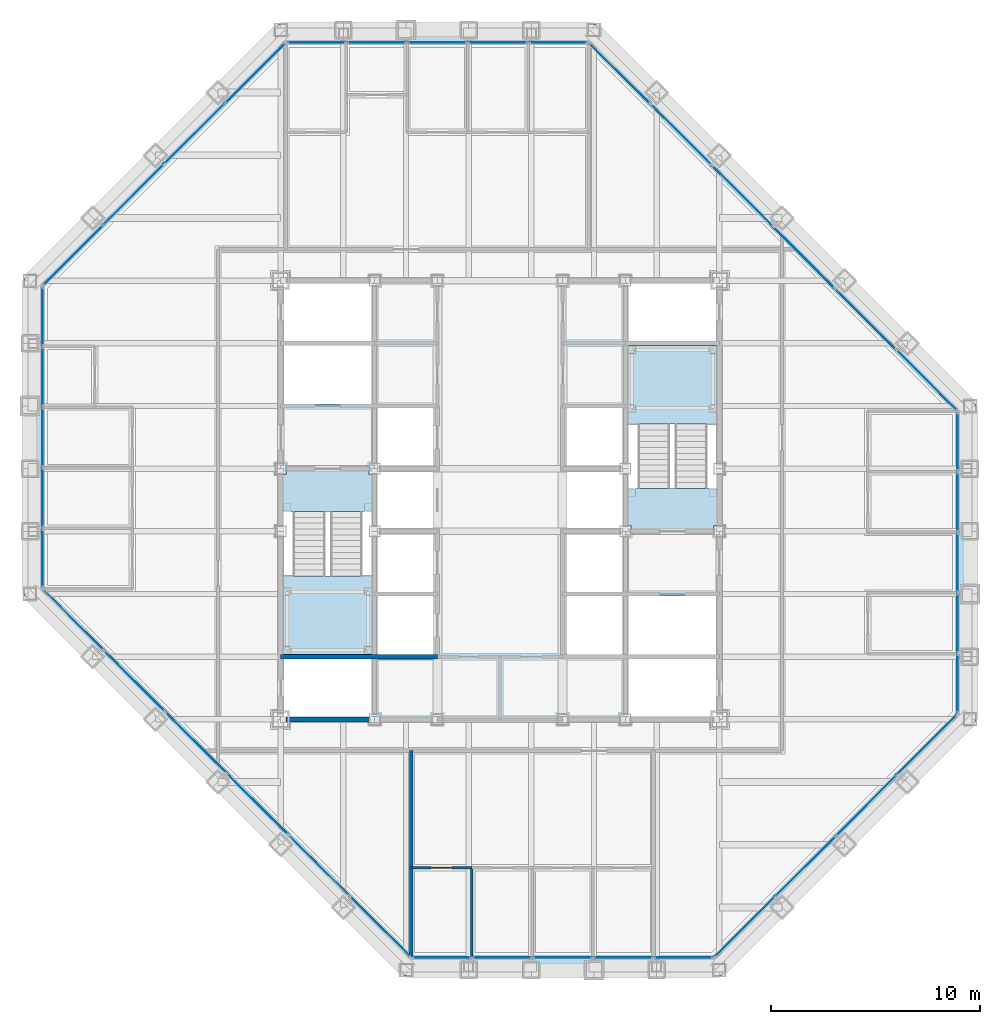
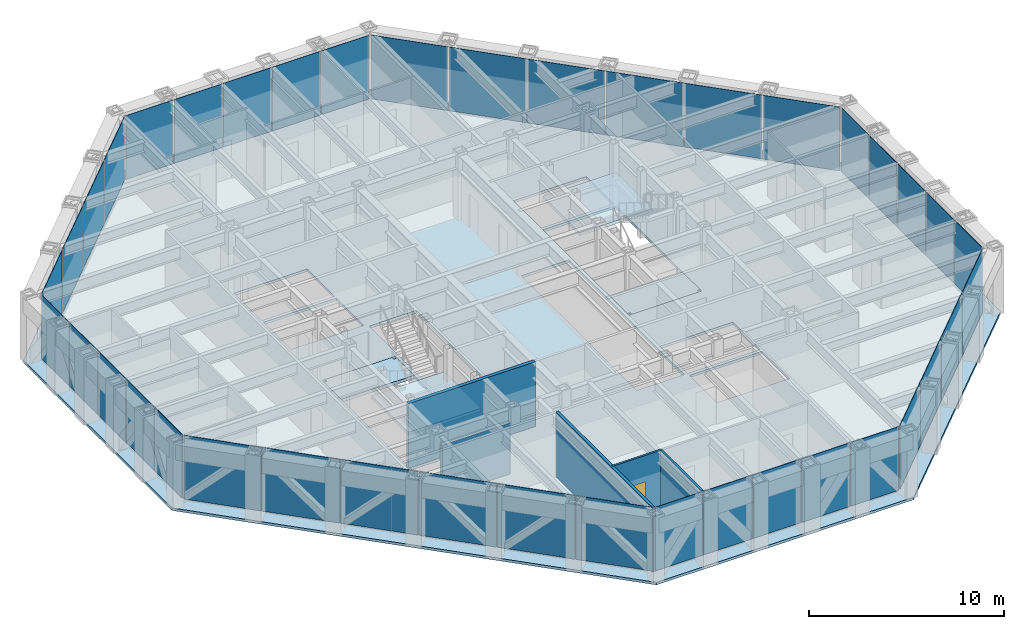
# One storey, part 10 of 16: 40 plates, 5 slabs, 5 walls, 1 door, 1 opening, 10 elements without a shape of their own.
"""IFC4 building model written with IfcOpenShell, lengths in metres."""

from ifc_helpers import new_model, si_unit, direction, frame, frame_2d, origin, origin_2d, place, context, subcontext, project, spatial, polyline, rectangle, outline, extrude, material, layer, layer_set, type_object, element, fill, aggregate, save


model = new_model("IFC4")

# Units and contexts
model_context = context("Model", 3, precision=1e-05, world=origin(), true_north=direction((0.0, 1.0)))
body_context = subcontext(model_context, "Body", "Model", "MODEL_VIEW")
ifc_project = project(units=[si_unit("LENGTHUNIT", "METRE"), si_unit("AREAUNIT", "SQUARE_METRE"), si_unit("VOLUMEUNIT", "CUBIC_METRE"), si_unit("PLANEANGLEUNIT", "RADIAN"), si_unit("MASSUNIT", "GRAM", prefix="KILO")], contexts=[model_context])

# Site, building, storey
site_placement = place(None, origin())
site = spatial("IfcSite", under=ifc_project, at=site_placement, CompositionType="ELEMENT")
building_placement = place(site_placement, origin())
building = spatial("IfcBuilding", under=site, at=building_placement, Name="Chuquiago Exchange Tower", CompositionType="ELEMENT")
storey_placement = place(building_placement, frame((0.0, 0.0, 243.300048828125)))
storey = spatial("IfcBuildingStorey", under=building, at=storey_placement, Name="L54", CompositionType="ELEMENT", Elevation=243.300048828125)

# Curtain wall, plate
ifc_material_1 = material(Name="Aluminium curtain wall system", Category="aluminium")
ifc_layer_1 = layer(ifc_material_1, 0.22509765625)
ifc_layer_set_1 = layer_set([ifc_layer_1], Name="CW2 office curtain wall")
curtain_wall_type_1 = type_object("IfcCurtainWallType", Name="CW2 office curtain wall", PredefinedType="NOTDEFINED", material=ifc_layer_set_1)
curtain_wall_1_placement = place(storey_placement, origin())
curtain_wall_1 = element("IfcCurtainWall", 1, at=curtain_wall_1_placement, inside=storey, type_object=curtain_wall_type_1, Name="CW2 curtain wall L54", PredefinedType="NOTDEFINED")
ifc_material_2 = material(Name="Glass, insulating unit", Category="glass")
ifc_layer_2 = layer(ifc_material_2, 0.030029296875)
ifc_layer_set_2 = layer_set([ifc_layer_2], Name="CW2-P panel 30")
plate_type_1 = type_object("IfcPlateType", Name="CW2-P panel 30", PredefinedType="CURTAIN_PANEL", material=ifc_layer_set_2)
plate_1_placement = place(storey_placement, frame((25.5, 0.60009765625, 0.06494140625), z_axis=(0.0, 0.0, 1.0), x_axis=(1.0, 0.0, 0.0)))
plate_1 = element("IfcPlate", 2, at=plate_1_placement, type_object=plate_type_1, Name="CW2 panel 3.1", PredefinedType="CURTAIN_PANEL", context=body_context, shape_type="SweptSolid", body=[
    extrude(rectangle(XDim=2.835693359375, YDim=0.030029296875, at=origin_2d()), origin(), (0.0, 0.0, 1.0), 3.97509765625),
])

curtain_wall_2_placement = place(storey_placement, origin())
curtain_wall_2 = element("IfcCurtainWall", 3, at=curtain_wall_2_placement, inside=storey, type_object=curtain_wall_type_1, Name="CW2 curtain wall L54", PredefinedType="NOTDEFINED")
plate_2_placement = place(storey_placement, frame((44.39990234375, 19.5, 0.06494140625), z_axis=(0.0, 0.0, 1.0), x_axis=(0.0, 1.0, 0.0)))
plate_2 = element("IfcPlate", 4, at=plate_2_placement, type_object=plate_type_1, Name="CW2 panel 3.1", PredefinedType="CURTAIN_PANEL", context=body_context, shape_type="SweptSolid", body=[
    extrude(rectangle(XDim=2.835693359375, YDim=0.030029296875, at=origin_2d()), origin(), (0.0, 0.0, 1.0), 3.97509765625),
])

curtain_wall_3_placement = place(storey_placement, origin())
curtain_wall_3 = element("IfcCurtainWall", 5, at=curtain_wall_3_placement, inside=storey, type_object=curtain_wall_type_1, Name="CW2 curtain wall L54", PredefinedType="NOTDEFINED")
plate_3_placement = place(storey_placement, frame((19.5, 44.39990234375, 0.06494140625), z_axis=(0.0, 0.0, 1.0), x_axis=(-1.0, 0.0, 0.0)))
plate_3 = element("IfcPlate", 6, at=plate_3_placement, type_object=plate_type_1, Name="CW2 panel 3.1", PredefinedType="CURTAIN_PANEL", context=body_context, shape_type="SweptSolid", body=[
    extrude(rectangle(XDim=2.835693359375, YDim=0.030029296875, at=origin_2d()), origin(), (0.0, 0.0, 1.0), 3.97509765625),
])

curtain_wall_4_placement = place(storey_placement, origin())
curtain_wall_4 = element("IfcCurtainWall", 7, at=curtain_wall_4_placement, inside=storey, type_object=curtain_wall_type_1, Name="CW2 curtain wall L54", PredefinedType="NOTDEFINED")
plate_4_placement = place(storey_placement, frame((0.60009765625, 25.5, 0.06494140625), z_axis=(0.0, 0.0, 1.0), x_axis=(0.0, -1.0, 0.0)))
plate_4 = element("IfcPlate", 8, at=plate_4_placement, type_object=plate_type_1, Name="CW2 panel 3.1", PredefinedType="CURTAIN_PANEL", context=body_context, shape_type="SweptSolid", body=[
    extrude(rectangle(XDim=2.835693359375, YDim=0.030029296875, at=origin_2d()), origin(), (0.0, 0.0, 1.0), 3.97509765625),
])

# Plate
ifc_material_3 = material(Name="Insulated spandrel panel, pale anodised aluminium", Category="aluminium")
ifc_layer_3 = layer(ifc_material_3, 0.030029296875)
ifc_layer_set_3 = layer_set([ifc_layer_3], Name="CW2-P spandrel panel 30")
plate_type_2 = type_object("IfcPlateType", Name="CW2-P spandrel panel 30", PredefinedType="CURTAIN_PANEL", material=ifc_layer_set_3)
plate_5_placement = place(storey_placement, frame((19.715087890625, 0.60009765625, 0.06494140625), z_axis=(0.0, 0.0, 1.0), x_axis=(1.0, 0.0, 0.0)))
plate_5 = element("IfcPlate", 9, at=plate_5_placement, type_object=plate_type_2, Name="CW2 panel 1.1", PredefinedType="CURTAIN_PANEL", context=body_context, shape_type="SweptSolid", body=[
    extrude(rectangle(XDim=2.802978515625, YDim=0.030029296875, at=origin_2d()), origin(), (0.0, 0.0, 1.0), 3.97509765625),
])

plate_6_placement = place(storey_placement, frame((22.599365234375, 0.60009765625, 0.06494140625), z_axis=(0.0, 0.0, 1.0), x_axis=(1.0, 0.0, 0.0)))
plate_6 = element("IfcPlate", 10, at=plate_6_placement, type_object=plate_type_2, Name="CW2 panel 2.1", PredefinedType="CURTAIN_PANEL", context=body_context, shape_type="SweptSolid", body=[
    extrude(rectangle(XDim=2.835693359375, YDim=0.030029296875, at=origin_2d()), origin(), (0.0, 0.0, 1.0), 3.97509765625),
])

plate_7_placement = place(storey_placement, frame((28.400634765625, 0.60009765625, 0.06494140625), z_axis=(0.0, 0.0, 1.0), x_axis=(1.0, 0.0, 0.0)))
plate_7 = element("IfcPlate", 11, at=plate_7_placement, type_object=plate_type_2, Name="CW2 panel 4.1", PredefinedType="CURTAIN_PANEL", context=body_context, shape_type="SweptSolid", body=[
    extrude(rectangle(XDim=2.835693359375, YDim=0.030029296875, at=origin_2d()), origin(), (0.0, 0.0, 1.0), 3.97509765625),
])

plate_8_placement = place(storey_placement, frame((31.284912109375, 0.60009765625, 0.06494140625), z_axis=(0.0, 0.0, 1.0), x_axis=(1.0, 0.0, 0.0)))
plate_8 = element("IfcPlate", 12, at=plate_8_placement, type_object=plate_type_2, Name="CW2 panel 5.1", PredefinedType="CURTAIN_PANEL", context=body_context, shape_type="SweptSolid", body=[
    extrude(rectangle(XDim=2.802978515625, YDim=0.030029296875, at=origin_2d()), origin(), (0.0, 0.0, 1.0), 3.97509765625),
])

aggregate(curtain_wall_1, [plate_5, plate_6, plate_1, plate_7, plate_8])

plate_9_placement = place(storey_placement, frame((44.39990234375, 13.715087890625, 0.06494140625), z_axis=(0.0, 0.0, 1.0), x_axis=(0.0, 1.0, 0.0)))
plate_9 = element("IfcPlate", 13, at=plate_9_placement, type_object=plate_type_2, Name="CW2 panel 1.1", PredefinedType="CURTAIN_PANEL", context=body_context, shape_type="SweptSolid", body=[
    extrude(rectangle(XDim=2.802978515625, YDim=0.030029296875, at=origin_2d()), origin(), (0.0, 0.0, 1.0), 3.97509765625),
])

plate_10_placement = place(storey_placement, frame((44.39990234375, 16.599365234375, 0.06494140625), z_axis=(0.0, 0.0, 1.0), x_axis=(0.0, 1.0, 0.0)))
plate_10 = element("IfcPlate", 14, at=plate_10_placement, type_object=plate_type_2, Name="CW2 panel 2.1", PredefinedType="CURTAIN_PANEL", context=body_context, shape_type="SweptSolid", body=[
    extrude(rectangle(XDim=2.835693359375, YDim=0.030029296875, at=origin_2d()), origin(), (0.0, 0.0, 1.0), 3.97509765625),
])

plate_11_placement = place(storey_placement, frame((44.39990234375, 22.400634765625, 0.06494140625), z_axis=(0.0, 0.0, 1.0), x_axis=(0.0, 1.0, 0.0)))
plate_11 = element("IfcPlate", 15, at=plate_11_placement, type_object=plate_type_2, Name="CW2 panel 4.1", PredefinedType="CURTAIN_PANEL", context=body_context, shape_type="SweptSolid", body=[
    extrude(rectangle(XDim=2.835693359375, YDim=0.030029296875, at=origin_2d()), origin(), (0.0, 0.0, 1.0), 3.97509765625),
])

plate_12_placement = place(storey_placement, frame((44.39990234375, 25.284912109375, 0.06494140625), z_axis=(0.0, 0.0, 1.0), x_axis=(0.0, 1.0, 0.0)))
plate_12 = element("IfcPlate", 16, at=plate_12_placement, type_object=plate_type_2, Name="CW2 panel 5.1", PredefinedType="CURTAIN_PANEL", context=body_context, shape_type="SweptSolid", body=[
    extrude(rectangle(XDim=2.802978515625, YDim=0.030029296875, at=origin_2d()), origin(), (0.0, 0.0, 1.0), 3.97509765625),
])

aggregate(curtain_wall_2, [plate_9, plate_10, plate_2, plate_11, plate_12])

plate_13_placement = place(storey_placement, frame((25.284912109375, 44.39990234375, 0.06494140625), z_axis=(0.0, 0.0, 1.0), x_axis=(-1.0, 0.0, 0.0)))
plate_13 = element("IfcPlate", 17, at=plate_13_placement, type_object=plate_type_2, Name="CW2 panel 1.1", PredefinedType="CURTAIN_PANEL", context=body_context, shape_type="SweptSolid", body=[
    extrude(rectangle(XDim=2.802978515625, YDim=0.030029296875, at=origin_2d()), origin(), (0.0, 0.0, 1.0), 3.97509765625),
])

plate_14_placement = place(storey_placement, frame((22.400634765625, 44.39990234375, 0.06494140625), z_axis=(0.0, 0.0, 1.0), x_axis=(-1.0, 0.0, 0.0)))
plate_14 = element("IfcPlate", 18, at=plate_14_placement, type_object=plate_type_2, Name="CW2 panel 2.1", PredefinedType="CURTAIN_PANEL", context=body_context, shape_type="SweptSolid", body=[
    extrude(rectangle(XDim=2.835693359375, YDim=0.030029296875, at=origin_2d()), origin(), (0.0, 0.0, 1.0), 3.97509765625),
])

plate_15_placement = place(storey_placement, frame((16.599365234375, 44.39990234375, 0.06494140625), z_axis=(0.0, 0.0, 1.0), x_axis=(-1.0, 0.0, 0.0)))
plate_15 = element("IfcPlate", 19, at=plate_15_placement, type_object=plate_type_2, Name="CW2 panel 4.1", PredefinedType="CURTAIN_PANEL", context=body_context, shape_type="SweptSolid", body=[
    extrude(rectangle(XDim=2.835693359375, YDim=0.030029296875, at=origin_2d()), origin(), (0.0, 0.0, 1.0), 3.97509765625),
])

plate_16_placement = place(storey_placement, frame((13.715087890625, 44.39990234375, 0.06494140625), z_axis=(0.0, 0.0, 1.0), x_axis=(-1.0, 0.0, 0.0)))
plate_16 = element("IfcPlate", 20, at=plate_16_placement, type_object=plate_type_2, Name="CW2 panel 5.1", PredefinedType="CURTAIN_PANEL", context=body_context, shape_type="SweptSolid", body=[
    extrude(rectangle(XDim=2.802978515625, YDim=0.030029296875, at=origin_2d()), origin(), (0.0, 0.0, 1.0), 3.97509765625),
])

aggregate(curtain_wall_3, [plate_13, plate_14, plate_3, plate_15, plate_16])

plate_17_placement = place(storey_placement, frame((0.60009765625, 31.284912109375, 0.06494140625), z_axis=(0.0, 0.0, 1.0), x_axis=(0.0, -1.0, 0.0)))
plate_17 = element("IfcPlate", 21, at=plate_17_placement, type_object=plate_type_2, Name="CW2 panel 1.1", PredefinedType="CURTAIN_PANEL", context=body_context, shape_type="SweptSolid", body=[
    extrude(rectangle(XDim=2.802978515625, YDim=0.030029296875, at=origin_2d()), origin(), (0.0, 0.0, 1.0), 3.97509765625),
])

plate_18_placement = place(storey_placement, frame((0.60009765625, 28.400634765625, 0.06494140625), z_axis=(0.0, 0.0, 1.0), x_axis=(0.0, -1.0, 0.0)))
plate_18 = element("IfcPlate", 22, at=plate_18_placement, type_object=plate_type_2, Name="CW2 panel 2.1", PredefinedType="CURTAIN_PANEL", context=body_context, shape_type="SweptSolid", body=[
    extrude(rectangle(XDim=2.835693359375, YDim=0.030029296875, at=origin_2d()), origin(), (0.0, 0.0, 1.0), 3.97509765625),
])

plate_19_placement = place(storey_placement, frame((0.60009765625, 22.599365234375, 0.06494140625), z_axis=(0.0, 0.0, 1.0), x_axis=(0.0, -1.0, 0.0)))
plate_19 = element("IfcPlate", 23, at=plate_19_placement, type_object=plate_type_2, Name="CW2 panel 4.1", PredefinedType="CURTAIN_PANEL", context=body_context, shape_type="SweptSolid", body=[
    extrude(rectangle(XDim=2.835693359375, YDim=0.030029296875, at=origin_2d()), origin(), (0.0, 0.0, 1.0), 3.97509765625),
])

plate_20_placement = place(storey_placement, frame((0.60009765625, 19.715087890625, 0.06494140625), z_axis=(0.0, 0.0, 1.0), x_axis=(0.0, -1.0, 0.0)))
plate_20 = element("IfcPlate", 24, at=plate_20_placement, type_object=plate_type_2, Name="CW2 panel 5.1", PredefinedType="CURTAIN_PANEL", context=body_context, shape_type="SweptSolid", body=[
    extrude(rectangle(XDim=2.802978515625, YDim=0.030029296875, at=origin_2d()), origin(), (0.0, 0.0, 1.0), 3.97509765625),
])

aggregate(curtain_wall_4, [plate_17, plate_18, plate_4, plate_19, plate_20])

# Curtain wall, plates
ifc_material_4 = material(Name="Aluminium curtain wall system", Category="aluminium")
ifc_layer_4 = layer(ifc_material_4, 0.199951171875)
ifc_layer_set_4 = layer_set([ifc_layer_4], Name="CW3 facet curtain wall")
curtain_wall_type_2 = type_object("IfcCurtainWallType", Name="CW3 facet curtain wall", PredefinedType="NOTDEFINED", material=ifc_layer_set_4)
curtain_wall_5_placement = place(storey_placement, origin())
curtain_wall_5 = element("IfcCurtainWall", 25, at=curtain_wall_5_placement, inside=storey, type_object=curtain_wall_type_2, Name="CW3 curtain wall L54", PredefinedType="NOTDEFINED")
ifc_material_5 = material(Name="Insulated spandrel panel, pale anodised aluminium", Category="aluminium")
ifc_layer_5 = layer(ifc_material_5, 0.030029296875)
ifc_layer_set_5 = layer_set([ifc_layer_5], Name="CW3-P spandrel panel 30")
plate_type_3 = type_object("IfcPlateType", Name="CW3-P spandrel panel 30", PredefinedType="CURTAIN_PANEL", material=ifc_layer_set_5)
plate_21_placement = place(storey_placement, frame((34.218994140625, 2.067626953125, 0.06494140625), z_axis=(0.0, 0.0, 1.0), x_axis=(0.707106781187, 0.707106781187, 0.0)))
plate_21 = element("IfcPlate", 26, at=plate_21_placement, type_object=plate_type_3, Name="CW3 panel 1.1", PredefinedType="CURTAIN_PANEL", context=body_context, shape_type="SweptSolid", body=[
    extrude(rectangle(XDim=4.020751953125, YDim=0.030029296875, at=origin_2d()), origin(), (0.0, 0.0, 1.0), 3.97509765625),
])
plate_22_placement = place(storey_placement, frame((37.11962890625, 4.96826171875, 0.06494140625), z_axis=(0.0, 0.0, 1.0), x_axis=(0.707106781187, 0.707106781187, 0.0)))
plate_22 = element("IfcPlate", 27, at=plate_22_placement, type_object=plate_type_3, Name="CW3 panel 2.1", PredefinedType="CURTAIN_PANEL", context=body_context, shape_type="SweptSolid", body=[
    extrude(rectangle(XDim=4.053466796875, YDim=0.030029296875, at=origin_2d()), origin(), (0.0, 0.0, 1.0), 3.97509765625),
])
plate_23_placement = place(storey_placement, frame((40.03173828125, 7.88037109375, 0.06494140625), z_axis=(0.0, 0.0, 1.0), x_axis=(0.707106781187, 0.707106781187, 0.0)))
plate_23 = element("IfcPlate", 28, at=plate_23_placement, type_object=plate_type_3, Name="CW3 panel 3.1", PredefinedType="CURTAIN_PANEL", context=body_context, shape_type="SweptSolid", body=[
    extrude(rectangle(XDim=4.053466796875, YDim=0.030029296875, at=origin_2d()), origin(), (0.0, 0.0, 1.0), 3.97509765625),
])
plate_24_placement = place(storey_placement, frame((42.932373046875, 10.781005859375, 0.06494140625), z_axis=(0.0, 0.0, 1.0), x_axis=(0.707106781187, 0.707106781187, 0.0)))
plate_24 = element("IfcPlate", 29, at=plate_24_placement, type_object=plate_type_3, Name="CW3 panel 4.1", PredefinedType="CURTAIN_PANEL", context=body_context, shape_type="SweptSolid", body=[
    extrude(rectangle(XDim=4.020751953125, YDim=0.030029296875, at=origin_2d()), origin(), (0.0, 0.0, 1.0), 3.97509765625),
])
aggregate(curtain_wall_5, [plate_21, plate_22, plate_23, plate_24])

curtain_wall_6_placement = place(storey_placement, origin())
curtain_wall_6 = element("IfcCurtainWall", 30, at=curtain_wall_6_placement, inside=storey, type_object=curtain_wall_type_2, Name="CW3 curtain wall L54", PredefinedType="NOTDEFINED")
plate_25_placement = place(storey_placement, frame((42.917724609375, 28.233642578125, 0.06494140625), z_axis=(0.0, 0.0, 1.0), x_axis=(-0.707106781187, 0.707106781187, 0.0)))
plate_25 = element("IfcPlate", 31, at=plate_25_placement, type_object=plate_type_3, Name="CW3 panel 1.1", PredefinedType="CURTAIN_PANEL", context=body_context, shape_type="SweptSolid", body=[
    extrude(rectangle(XDim=4.062255859375, YDim=0.030029296875, at=origin_2d()), origin(), (0.0, 0.0, 1.0), 3.97509765625),
])
plate_26_placement = place(storey_placement, frame((39.98779296875, 31.16357421875, 0.06494140625), z_axis=(0.0, 0.0, 1.0), x_axis=(-0.707106781187, 0.707106781187, 0.0)))
plate_26 = element("IfcPlate", 32, at=plate_26_placement, type_object=plate_type_3, Name="CW3 panel 2.1", PredefinedType="CURTAIN_PANEL", context=body_context, shape_type="SweptSolid", body=[
    extrude(rectangle(XDim=4.0947265625, YDim=0.030029296875, at=origin_2d()), origin(), (0.0, 0.0, 1.0), 3.97509765625),
])
plate_27_placement = place(storey_placement, frame((37.04638671875, 34.10498046875, 0.06494140625), z_axis=(0.0, 0.0, 1.0), x_axis=(-0.707106781187, 0.707106781187, 0.0)))
plate_27 = element("IfcPlate", 33, at=plate_27_placement, type_object=plate_type_3, Name="CW3 panel 3.1", PredefinedType="CURTAIN_PANEL", context=body_context, shape_type="SweptSolid", body=[
    extrude(rectangle(XDim=4.0947265625, YDim=0.030029296875, at=origin_2d()), origin(), (0.0, 0.0, 1.0), 3.97509765625),
])
plate_28_placement = place(storey_placement, frame((34.10498046875, 37.04638671875, 0.06494140625), z_axis=(0.0, 0.0, 1.0), x_axis=(-0.707106781187, 0.707106781187, 0.0)))
plate_28 = element("IfcPlate", 34, at=plate_28_placement, type_object=plate_type_3, Name="CW3 panel 4.1", PredefinedType="CURTAIN_PANEL", context=body_context, shape_type="SweptSolid", body=[
    extrude(rectangle(XDim=4.0947265625, YDim=0.030029296875, at=origin_2d()), origin(), (0.0, 0.0, 1.0), 3.97509765625),
])
plate_29_placement = place(storey_placement, frame((31.16357421875, 39.98779296875, 0.06494140625), z_axis=(0.0, 0.0, 1.0), x_axis=(-0.707106781187, 0.707106781187, 0.0)))
plate_29 = element("IfcPlate", 35, at=plate_29_placement, type_object=plate_type_3, Name="CW3 panel 5.1", PredefinedType="CURTAIN_PANEL", context=body_context, shape_type="SweptSolid", body=[
    extrude(rectangle(XDim=4.0947265625, YDim=0.030029296875, at=origin_2d()), origin(), (0.0, 0.0, 1.0), 3.97509765625),
])
plate_30_placement = place(storey_placement, frame((28.233642578125, 42.917724609375, 0.06494140625), z_axis=(0.0, 0.0, 1.0), x_axis=(-0.707106781187, 0.707106781187, 0.0)))
plate_30 = element("IfcPlate", 36, at=plate_30_placement, type_object=plate_type_3, Name="CW3 panel 6.1", PredefinedType="CURTAIN_PANEL", context=body_context, shape_type="SweptSolid", body=[
    extrude(rectangle(XDim=4.062255859375, YDim=0.030029296875, at=origin_2d()), origin(), (0.0, 0.0, 1.0), 3.97509765625),
])
aggregate(curtain_wall_6, [plate_25, plate_26, plate_27, plate_28, plate_29, plate_30])

curtain_wall_7_placement = place(storey_placement, origin())
curtain_wall_7 = element("IfcCurtainWall", 37, at=curtain_wall_7_placement, inside=storey, type_object=curtain_wall_type_2, Name="CW3 curtain wall L54", PredefinedType="NOTDEFINED")
plate_31_placement = place(storey_placement, frame((10.781005859375, 42.932373046875, 0.06494140625), z_axis=(0.0, 0.0, 1.0), x_axis=(-0.707106781187, -0.707106781187, 0.0)))
plate_31 = element("IfcPlate", 38, at=plate_31_placement, type_object=plate_type_3, Name="CW3 panel 1.1", PredefinedType="CURTAIN_PANEL", context=body_context, shape_type="SweptSolid", body=[
    extrude(rectangle(XDim=4.020751953125, YDim=0.030029296875, at=origin_2d()), origin(), (0.0, 0.0, 1.0), 3.97509765625),
])
plate_32_placement = place(storey_placement, frame((7.88037109375, 40.03173828125, 0.06494140625), z_axis=(0.0, 0.0, 1.0), x_axis=(-0.707106781187, -0.707106781187, 0.0)))
plate_32 = element("IfcPlate", 39, at=plate_32_placement, type_object=plate_type_3, Name="CW3 panel 2.1", PredefinedType="CURTAIN_PANEL", context=body_context, shape_type="SweptSolid", body=[
    extrude(rectangle(XDim=4.053466796875, YDim=0.030029296875, at=origin_2d()), origin(), (0.0, 0.0, 1.0), 3.97509765625),
])
plate_33_placement = place(storey_placement, frame((4.96826171875, 37.11962890625, 0.06494140625), z_axis=(0.0, 0.0, 1.0), x_axis=(-0.707106781187, -0.707106781187, 0.0)))
plate_33 = element("IfcPlate", 40, at=plate_33_placement, type_object=plate_type_3, Name="CW3 panel 3.1", PredefinedType="CURTAIN_PANEL", context=body_context, shape_type="SweptSolid", body=[
    extrude(rectangle(XDim=4.053466796875, YDim=0.030029296875, at=origin_2d()), origin(), (0.0, 0.0, 1.0), 3.97509765625),
])
plate_34_placement = place(storey_placement, frame((2.067626953125, 34.218994140625, 0.06494140625), z_axis=(0.0, 0.0, 1.0), x_axis=(-0.707106781187, -0.707106781187, 0.0)))
plate_34 = element("IfcPlate", 41, at=plate_34_placement, type_object=plate_type_3, Name="CW3 panel 4.1", PredefinedType="CURTAIN_PANEL", context=body_context, shape_type="SweptSolid", body=[
    extrude(rectangle(XDim=4.020751953125, YDim=0.030029296875, at=origin_2d()), origin(), (0.0, 0.0, 1.0), 3.97509765625),
])
aggregate(curtain_wall_7, [plate_31, plate_32, plate_33, plate_34])

curtain_wall_8_placement = place(storey_placement, origin())
curtain_wall_8 = element("IfcCurtainWall", 42, at=curtain_wall_8_placement, inside=storey, type_object=curtain_wall_type_2, Name="CW3 curtain wall L54", PredefinedType="NOTDEFINED")
plate_35_placement = place(storey_placement, frame((2.082275390625, 16.766357421875, 0.06494140625), z_axis=(0.0, 0.0, 1.0), x_axis=(0.707106781187, -0.707106781187, 0.0)))
plate_35 = element("IfcPlate", 43, at=plate_35_placement, type_object=plate_type_3, Name="CW3 panel 1.1", PredefinedType="CURTAIN_PANEL", context=body_context, shape_type="SweptSolid", body=[
    extrude(rectangle(XDim=4.062255859375, YDim=0.030029296875, at=origin_2d()), origin(), (0.0, 0.0, 1.0), 3.97509765625),
])
plate_36_placement = place(storey_placement, frame((5.01220703125, 13.83642578125, 0.06494140625), z_axis=(0.0, 0.0, 1.0), x_axis=(0.707106781187, -0.707106781187, 0.0)))
plate_36 = element("IfcPlate", 44, at=plate_36_placement, type_object=plate_type_3, Name="CW3 panel 2.1", PredefinedType="CURTAIN_PANEL", context=body_context, shape_type="SweptSolid", body=[
    extrude(rectangle(XDim=4.0947265625, YDim=0.030029296875, at=origin_2d()), origin(), (0.0, 0.0, 1.0), 3.97509765625),
])
plate_37_placement = place(storey_placement, frame((7.95361328125, 10.89501953125, 0.06494140625), z_axis=(0.0, 0.0, 1.0), x_axis=(0.707106781187, -0.707106781187, 0.0)))
plate_37 = element("IfcPlate", 45, at=plate_37_placement, type_object=plate_type_3, Name="CW3 panel 3.1", PredefinedType="CURTAIN_PANEL", context=body_context, shape_type="SweptSolid", body=[
    extrude(rectangle(XDim=4.0947265625, YDim=0.030029296875, at=origin_2d()), origin(), (0.0, 0.0, 1.0), 3.97509765625),
])
plate_38_placement = place(storey_placement, frame((10.89501953125, 7.95361328125, 0.06494140625), z_axis=(0.0, 0.0, 1.0), x_axis=(0.707106781187, -0.707106781187, 0.0)))
plate_38 = element("IfcPlate", 46, at=plate_38_placement, type_object=plate_type_3, Name="CW3 panel 4.1", PredefinedType="CURTAIN_PANEL", context=body_context, shape_type="SweptSolid", body=[
    extrude(rectangle(XDim=4.0947265625, YDim=0.030029296875, at=origin_2d()), origin(), (0.0, 0.0, 1.0), 3.97509765625),
])
plate_39_placement = place(storey_placement, frame((13.83642578125, 5.01220703125, 0.06494140625), z_axis=(0.0, 0.0, 1.0), x_axis=(0.707106781187, -0.707106781187, 0.0)))
plate_39 = element("IfcPlate", 47, at=plate_39_placement, type_object=plate_type_3, Name="CW3 panel 5.1", PredefinedType="CURTAIN_PANEL", context=body_context, shape_type="SweptSolid", body=[
    extrude(rectangle(XDim=4.0947265625, YDim=0.030029296875, at=origin_2d()), origin(), (0.0, 0.0, 1.0), 3.97509765625),
])
plate_40_placement = place(storey_placement, frame((16.766357421875, 2.082275390625, 0.06494140625), z_axis=(0.0, 0.0, 1.0), x_axis=(0.707106781187, -0.707106781187, 0.0)))
plate_40 = element("IfcPlate", 48, at=plate_40_placement, type_object=plate_type_3, Name="CW3 panel 6.1", PredefinedType="CURTAIN_PANEL", context=body_context, shape_type="SweptSolid", body=[
    extrude(rectangle(XDim=4.062255859375, YDim=0.030029296875, at=origin_2d()), origin(), (0.0, 0.0, 1.0), 3.97509765625),
])
aggregate(curtain_wall_8, [plate_35, plate_36, plate_37, plate_38, plate_39, plate_40])

# Slab
ifc_material_6 = material(Name="Concrete C30/37", Category="concrete")
ifc_layer_6 = layer(ifc_material_6, 0.159912109375)
ifc_layer_set_6 = layer_set([ifc_layer_6], Name="FS1 composite floor 160")
slab_type_1 = type_object("IfcSlabType", Name="FS1 composite floor 160", PredefinedType="FLOOR", material=ifc_layer_set_6)
slab_1_placement = place(storey_placement, frame((0.0, 0.0, -0.16015625)))
element("IfcSlab", 49, at=slab_1_placement, inside=storey, type_object=slab_type_1, Name="L54 floor slab", PredefinedType="FLOOR", context=body_context, shape_type="SweptSolid", body=[
    extrude(outline(polyline([(17.896484375, -0.25), (-0.25, 17.896484375), (-0.25, 33.103515625), (11.896484375, 45.25), (27.103515625, 45.25), (45.25, 27.103515625), (45.25, 11.896484375), (33.103515625, -0.25), (17.896484375, -0.25)]), holes=[polyline([(16.39990234375, 15.10009765625), (12.10009765625, 15.10009765625), (12.10009765625, 23.89990234375), (16.39990234375, 23.89990234375), (16.39990234375, 15.10009765625)]), polyline([(32.89990234375, 21.10009765625), (28.60009765625, 21.10009765625), (28.60009765625, 29.89990234375), (32.89990234375, 29.89990234375), (32.89990234375, 21.10009765625)]), polyline([(16.39990234375, 12.10009765625), (12.10009765625, 12.10009765625), (12.10009765625, 14.89990234375), (16.39990234375, 14.89990234375), (16.39990234375, 12.10009765625)]), polyline([(16.39990234375, 30.10009765625), (12.10009765625, 30.10009765625), (12.10009765625, 32.89990234375), (16.39990234375, 32.89990234375), (16.39990234375, 30.10009765625)]), polyline([(32.89990234375, 12.10009765625), (28.60009765625, 12.10009765625), (28.60009765625, 14.89990234375), (32.89990234375, 14.89990234375), (32.89990234375, 12.10009765625)]), polyline([(32.89990234375, 30.10009765625), (28.60009765625, 30.10009765625), (28.60009765625, 32.89990234375), (32.89990234375, 32.89990234375), (32.89990234375, 30.10009765625)]), polyline([(16.39990234375, 27.10009765625), (12.10009765625, 27.10009765625), (12.10009765625, 29.89990234375), (16.39990234375, 29.89990234375), (16.39990234375, 27.10009765625)]), polyline([(32.89990234375, 15.10009765625), (28.60009765625, 15.10009765625), (28.60009765625, 17.89990234375), (32.89990234375, 17.89990234375), (32.89990234375, 15.10009765625)]), polyline([(19.39990234375, 15.10009765625), (16.60009765625, 15.10009765625), (16.60009765625, 26.89990234375), (19.39990234375, 26.89990234375), (19.39990234375, 15.10009765625)]), polyline([(28.39990234375, 15.10009765625), (25.60009765625, 15.10009765625), (25.60009765625, 26.89990234375), (28.39990234375, 26.89990234375), (28.39990234375, 15.10009765625)])]), origin(), (0.0, 0.0, 1.0), 0.16015625),
])

# Stair, slabs
ifc_material_7 = material(Name="Concrete C30/37, precast", Category="concrete")
stair_type_1 = type_object("IfcStairType", Name="ST1 half-turn stair 4200", PredefinedType="HALF_TURN_STAIR", material=ifc_material_7)
stair_1_placement = place(storey_placement, origin())
stair_1 = element("IfcStair", 50, at=stair_1_placement, inside=storey, type_object=stair_type_1, Name="Stair ST1 L54", PredefinedType="HALF_TURN_STAIR")
ifc_material_8 = material(Name="Concrete C30/37, precast", Category="concrete")
ifc_layer_7 = layer(ifc_material_8, 0.199951171875)
ifc_layer_set_7 = layer_set([ifc_layer_7], Name="ST-L landing 200")
slab_type_2 = type_object("IfcSlabType", Name="ST-L landing 200", PredefinedType="LANDING", material=ifc_layer_set_7)
slab_2_placement = place(storey_placement, frame((0.0, 0.0, -0.199951171875)))
slab_2 = element("IfcSlab", 51, at=slab_2_placement, type_object=slab_type_2, Name="ST1 landing 1", PredefinedType="LANDING", context=body_context, shape_type="SweptSolid", body=[
    extrude(outline(polyline([(12.27490234375, 23.89990234375), (16.22509765625, 23.89990234375), (16.22509765625, 23.72509765625), (16.39990234375, 23.72509765625), (16.39990234375, 21.949951171875), (12.10009765625, 21.949951171875), (12.10009765625, 23.72509765625), (12.27490234375, 23.72509765625), (12.27490234375, 23.89990234375)])), origin(), (0.0, 0.0, 1.0), 0.199951171875),
])
slab_3_placement = place(storey_placement, frame((0.0, 0.0, 1.89990234375)))
slab_3 = element("IfcSlab", 52, at=slab_3_placement, type_object=slab_type_2, Name="ST1 landing 2", PredefinedType="LANDING", context=body_context, shape_type="SweptSolid", body=[
    extrude(outline(polyline([(12.10009765625, 18.8701171875), (16.39990234375, 18.8701171875), (16.39990234375, 15.10009765625), (12.10009765625, 15.10009765625), (12.10009765625, 18.8701171875)])), origin(), (0.0, 0.0, 1.0), 0.199951171875),
])
aggregate(stair_1, [slab_2, slab_3])

ifc_material_9 = material(Name="Concrete C30/37, precast", Category="concrete")
stair_type_2 = type_object("IfcStairType", Name="ST2 half-turn stair 4200", PredefinedType="HALF_TURN_STAIR", material=ifc_material_9)
stair_2_placement = place(storey_placement, origin())
stair_2 = element("IfcStair", 53, at=stair_2_placement, inside=storey, type_object=stair_type_2, Name="Stair ST2 L54", PredefinedType="HALF_TURN_STAIR")
slab_4_placement = place(storey_placement, frame((0.0, 0.0, -0.199951171875)))
slab_4 = element("IfcSlab", 54, at=slab_4_placement, type_object=slab_type_2, Name="ST2 landing 1", PredefinedType="LANDING", context=body_context, shape_type="SweptSolid", body=[
    extrude(outline(polyline([(32.72509765625, 21.27490234375), (32.72509765625, 21.10009765625), (28.77490234375, 21.10009765625), (28.77490234375, 21.27490234375), (28.60009765625, 21.27490234375), (28.60009765625, 23.050048828125), (32.89990234375, 23.050048828125), (32.89990234375, 21.27490234375), (32.72509765625, 21.27490234375)])), origin(), (0.0, 0.0, 1.0), 0.199951171875),
])
slab_5_placement = place(storey_placement, frame((0.0, 0.0, 1.89990234375)))
slab_5 = element("IfcSlab", 55, at=slab_5_placement, type_object=slab_type_2, Name="ST2 landing 2", PredefinedType="LANDING", context=body_context, shape_type="SweptSolid", body=[
    extrude(outline(polyline([(28.60009765625, 29.89990234375), (32.89990234375, 29.89990234375), (32.89990234375, 26.1298828125), (28.60009765625, 26.1298828125), (28.60009765625, 29.89990234375)])), origin(), (0.0, 0.0, 1.0), 0.199951171875),
])
aggregate(stair_2, [slab_4, slab_5])

# Walls
ifc_material_10 = material(Name="Concrete masonry, fully grouted", Category="masonry")
ifc_layer_8 = layer(ifc_material_10, 0.25)
ifc_layer_set_8 = layer_set([ifc_layer_8], Name="W1 core wall 250")
wall_type_1 = type_object("IfcWallType", Name="W1 core wall 250", PredefinedType="SOLIDWALL", material=ifc_layer_set_8)
wall_1_placement = place(storey_placement, frame((12.25, 12.0, 0.0), z_axis=(0.0, 0.0, 1.0), x_axis=(1.0, 0.0, 0.0)))
element("IfcWall", 56, at=wall_1_placement, inside=storey, type_object=wall_type_1, Name="CW-L54-01-0", PredefinedType="SOLIDWALL", context=body_context, shape_type="SweptSolid", body=[
    extrude(rectangle(XDim=4.0, YDim=0.25, at=frame_2d((2.0, 0.0))), origin(), (0.0, 0.0, 1.0), 3.181396484375),
])
ifc_material_11 = material(Name="Gypsum board on twin steel studs, acoustic insulation", Category="steel")
ifc_layer_9 = layer(ifc_material_11, 0.175048828125)
ifc_layer_set_9 = layer_set([ifc_layer_9], Name="W12 tenant demising wall 175")
wall_type_2 = type_object("IfcWallType", Name="W12 tenant demising wall 175", PredefinedType="PARTITIONING", material=ifc_layer_set_9)
wall_2_placement = place(storey_placement, frame((18.24853515625, 0.666015625, 0.0), z_axis=(0.0, 0.0, 1.0), x_axis=(0.0, 1.0, 0.0)))
element("IfcWall", 57, at=wall_2_placement, inside=storey, type_object=wall_type_2, Name="PW-L54-DS01825", PredefinedType="PARTITIONING", context=body_context, shape_type="SweptSolid", body=[
    extrude(rectangle(XDim=9.833984375, YDim=0.175048828125, at=frame_2d((4.9169921875, 0.0))), origin(), (0.0, 0.0, 1.0), 4.0400390625),
])
ifc_material_12 = material(Name="Concrete masonry, fully grouted", Category="masonry")
ifc_layer_10 = layer(ifc_material_12, 0.199951171875)
ifc_layer_set_10 = layer_set([ifc_layer_10], Name="W2 shaft wall 200")
wall_type_3 = type_object("IfcWallType", Name="W2 shaft wall 200", PredefinedType="SOLIDWALL", material=ifc_layer_set_10)
wall_3_placement = place(storey_placement, frame((12.0, 15.0, 0.0), z_axis=(0.0, 0.0, 1.0), x_axis=(1.0, 0.0, 0.0)))
element("IfcWall", 58, at=wall_3_placement, inside=storey, type_object=wall_type_3, Name="CW-L54-03-0", PredefinedType="SOLIDWALL", context=body_context, shape_type="SweptSolid", body=[
    extrude(rectangle(XDim=7.5, YDim=0.199951171875, at=frame_2d((3.75, 0.0))), origin(), (0.0, 0.0, 1.0), 4.0400390625),
])
ifc_material_13 = material(Name="Gypsum board on steel studs", Category="steel")
ifc_layer_11 = layer(ifc_material_13, 0.1201171875)
ifc_layer_set_11 = layer_set([ifc_layer_11], Name="W4 partition 120")
wall_type_4 = type_object("IfcWallType", Name="W4 partition 120", PredefinedType="PARTITIONING", material=ifc_layer_set_11)
wall_4_placement = place(storey_placement, frame((21.149169921875, 0.652587890625, 0.0), z_axis=(0.0, 0.0, 1.0), x_axis=(0.0, 1.0, 0.0)))
element("IfcWall", 59, at=wall_4_placement, inside=storey, type_object=wall_type_4, Name="PW-L54-S02115", PredefinedType="PARTITIONING", context=body_context, shape_type="SweptSolid", body=[
    extrude(rectangle(XDim=4.247314453125, YDim=0.1201171875, at=frame_2d((2.12353515625, 0.0))), origin(), (0.0, 0.0, 1.0), 4.0400390625),
])

# Wall, opening, door
wall_5_placement = place(storey_placement, frame((18.24853515625, 4.89990234375, 0.0), z_axis=(0.0, 0.0, 1.0), x_axis=(1.0, 0.0, 0.0)))
wall_5 = element("IfcWall", 60, at=wall_5_placement, inside=storey, type_object=wall_type_4, Name="PW-L54-SF01825", PredefinedType="PARTITIONING", context=body_context, shape_type="SweptSolid", body=[
    extrude(rectangle(XDim=2.900634765625, YDim=0.1201171875, at=frame_2d((1.4501953125, 0.0))), origin(), (0.0, 0.0, 1.0), 4.0400390625),
])
opening_placement = place(wall_5_placement, frame((0.9501953125, 0.0, 0.0)))
opening = element("IfcOpeningElement", 61, at=opening_placement, cuts=wall_5, Name="Opening L54-021", PredefinedType="OPENING", context=body_context, shape_type="SweptSolid", body=[
    extrude(rectangle(XDim=1.0, YDim=2.39990234375, at=frame_2d((0.5, 1.199951171875))), frame((0.0, 0.070068359375, 0.0), z_axis=(0.0, -1.0, 0.0), x_axis=(1.0, 0.0, 0.0)), (0.0, 0.0, 1.0), 0.14013671875),
])
ifc_material_14 = material(Name="Timber door, laminate faced", Category="wood")
door_type = type_object("IfcDoorType", Name="D9 room door 1000x2400", OperationType="SINGLE_SWING_LEFT", PredefinedType="DOOR", material=ifc_material_14)
door_placement = place(opening_placement, frame((1.0, 0.0, 0.0), z_axis=(0.0, 0.0, 1.0), x_axis=(-1.0, 0.0, 0.0)))
door = element("IfcDoor", 62, at=door_placement, inside=storey, type_object=door_type, Name="Reception door", OperationType="SINGLE_SWING_RIGHT", OverallHeight=2.39990234375, OverallWidth=1.0, PredefinedType="DOOR", context=body_context, shape_type="SweptSolid", body=[
    extrude(rectangle(XDim=1.0, YDim=2.39990234375, at=frame_2d((0.5, 1.199951171875))), frame((0.0, 0.02490234375, 0.0), z_axis=(0.0, -1.0, 0.0), x_axis=(1.0, 0.0, 0.0)), (0.0, 0.0, 1.0), 0.050048828125),
])
fill(opening, door)

save(model, "model.ifc")
